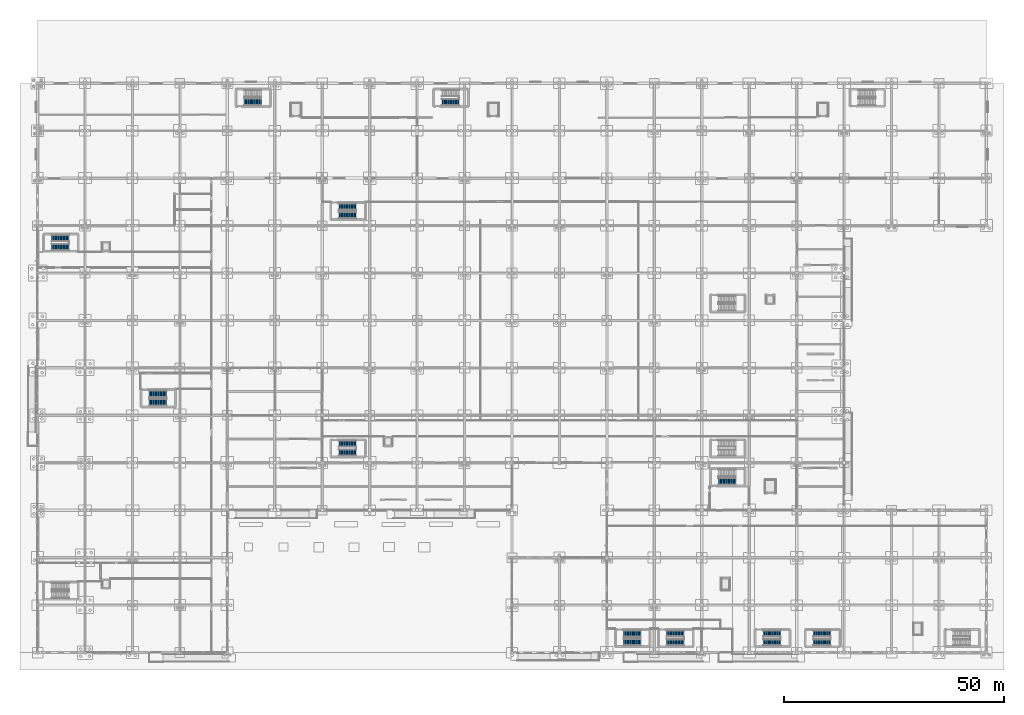
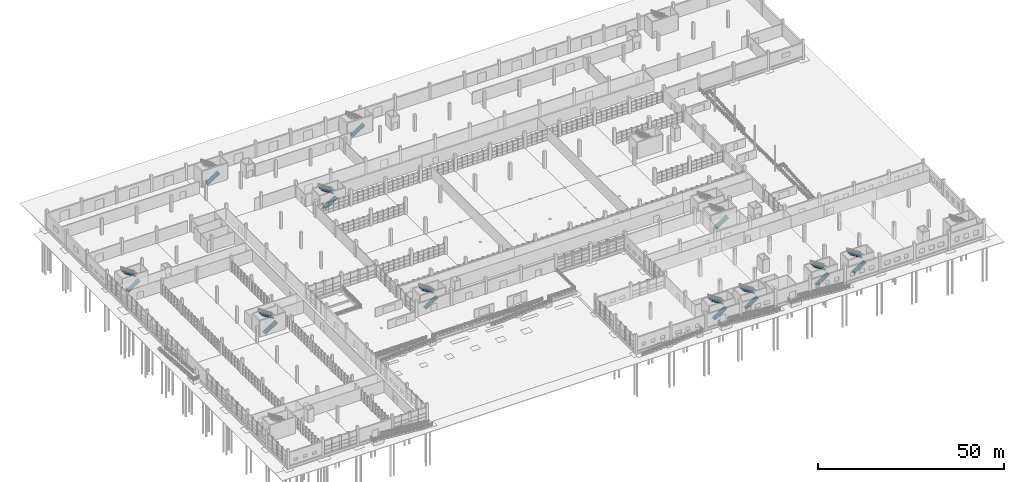
# One storey, part 117 of 138: 19 stair flights, 11 elements without a shape of their own.
"""IFC4 building model written with IfcOpenShell, lengths in metres."""

from ifc_helpers import new_model, si_unit, direction, frame, origin, place, context, subcontext, project, spatial, polyline, outline, extrude, material, type_object, element, aggregate, save


model = new_model("IFC4")

# Units and contexts
model_context = context("Model", 3, precision=1e-05, world=origin(), true_north=direction((0.0, 1.0)))
body_context = subcontext(model_context, "Body", "Model", "MODEL_VIEW")
ifc_project = project(units=[si_unit("LENGTHUNIT", "METRE"), si_unit("AREAUNIT", "SQUARE_METRE"), si_unit("VOLUMEUNIT", "CUBIC_METRE"), si_unit("PLANEANGLEUNIT", "RADIAN"), si_unit("MASSUNIT", "GRAM", prefix="KILO")], contexts=[model_context])

# Site, building, storey
site_placement = place(None, origin())
site = spatial("IfcSite", under=ifc_project, at=site_placement, CompositionType="ELEMENT")
building_placement = place(site_placement, origin())
building = spatial("IfcBuilding", under=site, at=building_placement, Name="Zwinboog Wholesale Market", CompositionType="ELEMENT")
storey_placement = place(building_placement, origin())
storey = spatial("IfcBuildingStorey", under=building, at=storey_placement, Name="L00", CompositionType="ELEMENT", Elevation=0.0)

# Stair, stair flights
ifc_material = material(Name="Concrete C40/50", Category="concrete")
stair_type_1 = type_object("IfcStairType", Name="STT-DOG-145", PredefinedType="HALF_TURN_STAIR", material=ifc_material)
stair_1_placement = place(storey_placement, origin())
stair_1 = element("IfcStair", 1, at=stair_1_placement, inside=storey, type_object=stair_type_1, Name="Enclosed Escape Stair ST-02", PredefinedType="HALF_TURN_STAIR")
stair_flight_type_1 = type_object("IfcStairFlightType", Name="SFT-145", PredefinedType="STRAIGHT", material=ifc_material)
stair_flight_1_placement = place(storey_placement, frame((3.219970703125, 92.280029296875, 0.0), z_axis=(0.0, 0.0, 1.0), x_axis=(1.0, 0.0, 0.0)))
stair_flight_1 = element("IfcStairFlight", 2, at=stair_flight_1_placement, type_object=stair_flight_type_1, Name="ST-02 flight 1", NumberOfRisers=15, NumberOfTreads=14, PredefinedType="STRAIGHT", RiserHeight=0.18, TreadLength=0.28, context=body_context, shape_type="SweptSolid", body=[
    extrude(outline(polyline([(0.0, 0.0), (0.0, 0.179931640625), (0.280029296875, 0.179931640625), (0.280029296875, 0.360107421875), (0.56005859375, 0.360107421875), (0.56005859375, 0.5400390625), (0.840087890625, 0.5400390625), (0.840087890625, 0.719970703125), (1.1201171875, 0.719970703125), (1.1201171875, 0.89990234375), (1.39990234375, 0.89990234375), (1.39990234375, 1.080078125), (1.679931640625, 1.080078125), (1.679931640625, 1.260009765625), (1.9599609375, 1.260009765625), (1.9599609375, 1.43994140625), (2.239990234375, 1.43994140625), (2.239990234375, 1.6201171875), (2.52001953125, 1.6201171875), (2.52001953125, 1.800048828125), (2.800048828125, 1.800048828125), (2.800048828125, 1.97998046875), (3.080078125, 1.97998046875), (3.080078125, 2.159912109375), (3.360107421875, 2.159912109375), (3.360107421875, 2.340087890625), (3.639892578125, 2.340087890625), (3.639892578125, 2.52001953125), (3.919921875, 2.52001953125), (3.919921875, 2.699951171875), (3.919921875, 2.30615234375), (0.332763671875, 0.0), (0.0, 0.0)])), frame((0.0, 0.719970703125, 0.0), z_axis=(0.0, -1.0, 0.0), x_axis=(1.0, 0.0, 0.0)), (0.0, 0.0, 1.0), 1.43994140625),
])
stair_flight_2_placement = place(storey_placement, frame((7.139892578125, 94.320068359375, 2.699951171875), z_axis=(0.0, 0.0, 1.0), x_axis=(-1.0, 0.0, 0.0)))
stair_flight_2 = element("IfcStairFlight", 3, at=stair_flight_2_placement, type_object=stair_flight_type_1, Name="ST-02 flight 2", NumberOfRisers=15, NumberOfTreads=14, PredefinedType="STRAIGHT", RiserHeight=0.18, TreadLength=0.28, context=body_context, shape_type="SweptSolid", body=[
    extrude(outline(polyline([(0.0, 0.0), (0.0, 0.179931640625), (0.280029296875, 0.179931640625), (0.280029296875, 0.360107421875), (0.56005859375, 0.360107421875), (0.56005859375, 0.5400390625), (0.840087890625, 0.5400390625), (0.840087890625, 0.719970703125), (1.1201171875, 0.719970703125), (1.1201171875, 0.89990234375), (1.39990234375, 0.89990234375), (1.39990234375, 1.080078125), (1.679931640625, 1.080078125), (1.679931640625, 1.260009765625), (1.9599609375, 1.260009765625), (1.9599609375, 1.43994140625), (2.239990234375, 1.43994140625), (2.239990234375, 1.6201171875), (2.52001953125, 1.6201171875), (2.52001953125, 1.800048828125), (2.800048828125, 1.800048828125), (2.800048828125, 1.97998046875), (3.080078125, 1.97998046875), (3.080078125, 2.159912109375), (3.360107421875, 2.159912109375), (3.360107421875, 2.340087890625), (3.639892578125, 2.340087890625), (3.639892578125, 2.52001953125), (3.919921875, 2.52001953125), (3.919921875, 2.699951171875), (3.919921875, 2.30615234375), (0.332763671875, 0.0), (0.0, 0.0)])), frame((0.0, 0.719970703125, 0.0), z_axis=(0.0, -1.0, 0.0), x_axis=(1.0, 0.0, 0.0)), (0.0, 0.0, 1.0), 1.43994140625),
])
aggregate(stair_1, [stair_flight_1, stair_flight_2])

# Stair, stair flight
stair_2_placement = place(storey_placement, origin())
stair_2 = element("IfcStair", 4, at=stair_2_placement, inside=storey, type_object=stair_type_1, Name="Enclosed Escape Stair ST-04", PredefinedType="HALF_TURN_STAIR")
stair_flight_3_placement = place(storey_placement, frame((92.02001953125, 125.280029296875, 0.0), z_axis=(0.0, 0.0, 1.0), x_axis=(1.0, 0.0, 0.0)))
stair_flight_3 = element("IfcStairFlight", 5, at=stair_flight_3_placement, type_object=stair_flight_type_1, Name="ST-04 flight 1", NumberOfRisers=15, NumberOfTreads=14, PredefinedType="STRAIGHT", RiserHeight=0.18, TreadLength=0.28, context=body_context, shape_type="SweptSolid", body=[
    extrude(outline(polyline([(0.0, 0.0), (0.0, 0.179931640625), (0.280029296875, 0.179931640625), (0.280029296875, 0.360107421875), (0.56005859375, 0.360107421875), (0.56005859375, 0.5400390625), (0.840087890625, 0.5400390625), (0.840087890625, 0.719970703125), (1.1201171875, 0.719970703125), (1.1201171875, 0.89990234375), (1.39990234375, 0.89990234375), (1.39990234375, 1.080078125), (1.679931640625, 1.080078125), (1.679931640625, 1.260009765625), (1.9599609375, 1.260009765625), (1.9599609375, 1.43994140625), (2.239990234375, 1.43994140625), (2.239990234375, 1.6201171875), (2.52001953125, 1.6201171875), (2.52001953125, 1.800048828125), (2.800048828125, 1.800048828125), (2.800048828125, 1.97998046875), (3.080078125, 1.97998046875), (3.080078125, 2.159912109375), (3.360107421875, 2.159912109375), (3.360107421875, 2.340087890625), (3.639892578125, 2.340087890625), (3.639892578125, 2.52001953125), (3.919921875, 2.52001953125), (3.919921875, 2.699951171875), (3.919921875, 2.30615234375), (0.332763671875, 0.0), (0.0, 0.0)])), frame((0.0, 0.719970703125, 0.0), z_axis=(0.0, -1.0, 0.0), x_axis=(1.0, 0.0, 0.0)), (0.0, 0.0, 1.0), 1.43994140625),
])
aggregate(stair_2, [stair_flight_3])

# Stair, stair flights
stair_3_placement = place(storey_placement, origin())
stair_3 = element("IfcStair", 6, at=stair_3_placement, inside=storey, type_object=stair_type_1, Name="Enclosed Escape Stair ST-06", PredefinedType="HALF_TURN_STAIR")
stair_flight_4_placement = place(storey_placement, frame((68.6201171875, 45.47998046875, 0.0), z_axis=(0.0, 0.0, 1.0), x_axis=(1.0, 0.0, 0.0)))
stair_flight_4 = element("IfcStairFlight", 7, at=stair_flight_4_placement, type_object=stair_flight_type_1, Name="ST-06 flight 1", NumberOfRisers=15, NumberOfTreads=14, PredefinedType="STRAIGHT", RiserHeight=0.18, TreadLength=0.28, context=body_context, shape_type="SweptSolid", body=[
    extrude(outline(polyline([(0.0, 0.0), (0.0, 0.179931640625), (0.280029296875, 0.179931640625), (0.280029296875, 0.360107421875), (0.56005859375, 0.360107421875), (0.56005859375, 0.5400390625), (0.840087890625, 0.5400390625), (0.840087890625, 0.719970703125), (1.1201171875, 0.719970703125), (1.1201171875, 0.89990234375), (1.39990234375, 0.89990234375), (1.39990234375, 1.080078125), (1.679931640625, 1.080078125), (1.679931640625, 1.260009765625), (1.9599609375, 1.260009765625), (1.9599609375, 1.43994140625), (2.239990234375, 1.43994140625), (2.239990234375, 1.6201171875), (2.52001953125, 1.6201171875), (2.52001953125, 1.800048828125), (2.800048828125, 1.800048828125), (2.800048828125, 1.97998046875), (3.080078125, 1.97998046875), (3.080078125, 2.159912109375), (3.360107421875, 2.159912109375), (3.360107421875, 2.340087890625), (3.639892578125, 2.340087890625), (3.639892578125, 2.52001953125), (3.919921875, 2.52001953125), (3.919921875, 2.699951171875), (3.919921875, 2.30615234375), (0.332763671875, 0.0), (0.0, 0.0)])), frame((0.0, 0.719970703125, 0.0), z_axis=(0.0, -1.0, 0.0), x_axis=(1.0, 0.0, 0.0)), (0.0, 0.0, 1.0), 1.43994140625),
])
stair_flight_5_placement = place(storey_placement, frame((72.5400390625, 47.52001953125, 2.699951171875), z_axis=(0.0, 0.0, 1.0), x_axis=(-1.0, 0.0, 0.0)))
stair_flight_5 = element("IfcStairFlight", 8, at=stair_flight_5_placement, type_object=stair_flight_type_1, Name="ST-06 flight 2", NumberOfRisers=15, NumberOfTreads=14, PredefinedType="STRAIGHT", RiserHeight=0.18, TreadLength=0.28, context=body_context, shape_type="SweptSolid", body=[
    extrude(outline(polyline([(0.0, 0.0), (0.0, 0.179931640625), (0.280029296875, 0.179931640625), (0.280029296875, 0.360107421875), (0.56005859375, 0.360107421875), (0.56005859375, 0.5400390625), (0.840087890625, 0.5400390625), (0.840087890625, 0.719970703125), (1.1201171875, 0.719970703125), (1.1201171875, 0.89990234375), (1.39990234375, 0.89990234375), (1.39990234375, 1.080078125), (1.679931640625, 1.080078125), (1.679931640625, 1.260009765625), (1.9599609375, 1.260009765625), (1.9599609375, 1.43994140625), (2.239990234375, 1.43994140625), (2.239990234375, 1.6201171875), (2.52001953125, 1.6201171875), (2.52001953125, 1.800048828125), (2.800048828125, 1.800048828125), (2.800048828125, 1.97998046875), (3.080078125, 1.97998046875), (3.080078125, 2.159912109375), (3.360107421875, 2.159912109375), (3.360107421875, 2.340087890625), (3.639892578125, 2.340087890625), (3.639892578125, 2.52001953125), (3.919921875, 2.52001953125), (3.919921875, 2.699951171875), (3.919921875, 2.30615234375), (0.332763671875, 0.0), (0.0, 0.0)])), frame((0.0, 0.719970703125, 0.0), z_axis=(0.0, -1.0, 0.0), x_axis=(1.0, 0.0, 0.0)), (0.0, 0.0, 1.0), 1.43994140625),
])
aggregate(stair_3, [stair_flight_4, stair_flight_5])

stair_4_placement = place(storey_placement, origin())
stair_4 = element("IfcStair", 9, at=stair_4_placement, inside=storey, type_object=stair_type_1, Name="Enclosed Escape Stair ST-09A", PredefinedType="HALF_TURN_STAIR")
stair_flight_6_placement = place(storey_placement, frame((176.6201171875, 2.280029296875, 0.0), z_axis=(0.0, 0.0, 1.0), x_axis=(1.0, 0.0, 0.0)))
stair_flight_6 = element("IfcStairFlight", 10, at=stair_flight_6_placement, type_object=stair_flight_type_1, Name="ST-09A flight 1", NumberOfRisers=15, NumberOfTreads=14, PredefinedType="STRAIGHT", RiserHeight=0.18, TreadLength=0.28, context=body_context, shape_type="SweptSolid", body=[
    extrude(outline(polyline([(0.0, 0.0), (0.0, 0.179931640625), (0.280029296875, 0.179931640625), (0.280029296875, 0.360107421875), (0.56005859375, 0.360107421875), (0.56005859375, 0.5400390625), (0.840087890625, 0.5400390625), (0.840087890625, 0.719970703125), (1.1201171875, 0.719970703125), (1.1201171875, 0.89990234375), (1.39990234375, 0.89990234375), (1.39990234375, 1.080078125), (1.679931640625, 1.080078125), (1.679931640625, 1.260009765625), (1.9599609375, 1.260009765625), (1.9599609375, 1.43994140625), (2.239990234375, 1.43994140625), (2.239990234375, 1.6201171875), (2.52001953125, 1.6201171875), (2.52001953125, 1.800048828125), (2.800048828125, 1.800048828125), (2.800048828125, 1.97998046875), (3.080078125, 1.97998046875), (3.080078125, 2.159912109375), (3.360107421875, 2.159912109375), (3.360107421875, 2.340087890625), (3.639892578125, 2.340087890625), (3.639892578125, 2.52001953125), (3.919921875, 2.52001953125), (3.919921875, 2.699951171875), (3.919921875, 2.30615234375), (0.332763671875, 0.0), (0.0, 0.0)])), frame((0.0, 0.719970703125, 0.0), z_axis=(0.0, -1.0, 0.0), x_axis=(1.0, 0.0, 0.0)), (0.0, 0.0, 1.0), 1.43994140625),
])
stair_flight_7_placement = place(storey_placement, frame((180.5400390625, 4.320068359375, 2.699951171875), z_axis=(0.0, 0.0, 1.0), x_axis=(-1.0, 0.0, 0.0)))
stair_flight_7 = element("IfcStairFlight", 11, at=stair_flight_7_placement, type_object=stair_flight_type_1, Name="ST-09A flight 2", NumberOfRisers=15, NumberOfTreads=14, PredefinedType="STRAIGHT", RiserHeight=0.18, TreadLength=0.28, context=body_context, shape_type="SweptSolid", body=[
    extrude(outline(polyline([(0.0, 0.0), (0.0, 0.179931640625), (0.280029296875, 0.179931640625), (0.280029296875, 0.360107421875), (0.56005859375, 0.360107421875), (0.56005859375, 0.5400390625), (0.840087890625, 0.5400390625), (0.840087890625, 0.719970703125), (1.1201171875, 0.719970703125), (1.1201171875, 0.89990234375), (1.39990234375, 0.89990234375), (1.39990234375, 1.080078125), (1.679931640625, 1.080078125), (1.679931640625, 1.260009765625), (1.9599609375, 1.260009765625), (1.9599609375, 1.43994140625), (2.239990234375, 1.43994140625), (2.239990234375, 1.6201171875), (2.52001953125, 1.6201171875), (2.52001953125, 1.800048828125), (2.800048828125, 1.800048828125), (2.800048828125, 1.97998046875), (3.080078125, 1.97998046875), (3.080078125, 2.159912109375), (3.360107421875, 2.159912109375), (3.360107421875, 2.340087890625), (3.639892578125, 2.340087890625), (3.639892578125, 2.52001953125), (3.919921875, 2.52001953125), (3.919921875, 2.699951171875), (3.919921875, 2.30615234375), (0.332763671875, 0.0), (0.0, 0.0)])), frame((0.0, 0.719970703125, 0.0), z_axis=(0.0, -1.0, 0.0), x_axis=(1.0, 0.0, 0.0)), (0.0, 0.0, 1.0), 1.43994140625),
])
aggregate(stair_4, [stair_flight_6, stair_flight_7])

stair_5_placement = place(storey_placement, origin())
stair_5 = element("IfcStair", 12, at=stair_5_placement, inside=storey, type_object=stair_type_1, Name="Enclosed Escape Stair ST-11A", PredefinedType="HALF_TURN_STAIR")
stair_flight_8_placement = place(storey_placement, frame((165.219970703125, 2.280029296875, 0.0), z_axis=(0.0, 0.0, 1.0), x_axis=(1.0, 0.0, 0.0)))
stair_flight_8 = element("IfcStairFlight", 13, at=stair_flight_8_placement, type_object=stair_flight_type_1, Name="ST-11A flight 1", NumberOfRisers=15, NumberOfTreads=14, PredefinedType="STRAIGHT", RiserHeight=0.18, TreadLength=0.28, context=body_context, shape_type="SweptSolid", body=[
    extrude(outline(polyline([(0.0, 0.0), (0.0, 0.179931640625), (0.280029296875, 0.179931640625), (0.280029296875, 0.360107421875), (0.56005859375, 0.360107421875), (0.56005859375, 0.5400390625), (0.840087890625, 0.5400390625), (0.840087890625, 0.719970703125), (1.1201171875, 0.719970703125), (1.1201171875, 0.89990234375), (1.39990234375, 0.89990234375), (1.39990234375, 1.080078125), (1.679931640625, 1.080078125), (1.679931640625, 1.260009765625), (1.9599609375, 1.260009765625), (1.9599609375, 1.43994140625), (2.239990234375, 1.43994140625), (2.239990234375, 1.6201171875), (2.52001953125, 1.6201171875), (2.52001953125, 1.800048828125), (2.800048828125, 1.800048828125), (2.800048828125, 1.97998046875), (3.080078125, 1.97998046875), (3.080078125, 2.159912109375), (3.360107421875, 2.159912109375), (3.360107421875, 2.340087890625), (3.639892578125, 2.340087890625), (3.639892578125, 2.52001953125), (3.919921875, 2.52001953125), (3.919921875, 2.699951171875), (3.919921875, 2.30615234375), (0.332763671875, 0.0), (0.0, 0.0)])), frame((0.0, 0.719970703125, 0.0), z_axis=(0.0, -1.0, 0.0), x_axis=(1.0, 0.0, 0.0)), (0.0, 0.0, 1.0), 1.43994140625),
])
stair_flight_9_placement = place(storey_placement, frame((169.139892578125, 4.320068359375, 2.699951171875), z_axis=(0.0, 0.0, 1.0), x_axis=(-1.0, 0.0, 0.0)))
stair_flight_9 = element("IfcStairFlight", 14, at=stair_flight_9_placement, type_object=stair_flight_type_1, Name="ST-11A flight 2", NumberOfRisers=15, NumberOfTreads=14, PredefinedType="STRAIGHT", RiserHeight=0.18, TreadLength=0.28, context=body_context, shape_type="SweptSolid", body=[
    extrude(outline(polyline([(0.0, 0.0), (0.0, 0.179931640625), (0.280029296875, 0.179931640625), (0.280029296875, 0.360107421875), (0.56005859375, 0.360107421875), (0.56005859375, 0.5400390625), (0.840087890625, 0.5400390625), (0.840087890625, 0.719970703125), (1.1201171875, 0.719970703125), (1.1201171875, 0.89990234375), (1.39990234375, 0.89990234375), (1.39990234375, 1.080078125), (1.679931640625, 1.080078125), (1.679931640625, 1.260009765625), (1.9599609375, 1.260009765625), (1.9599609375, 1.43994140625), (2.239990234375, 1.43994140625), (2.239990234375, 1.6201171875), (2.52001953125, 1.6201171875), (2.52001953125, 1.800048828125), (2.800048828125, 1.800048828125), (2.800048828125, 1.97998046875), (3.080078125, 1.97998046875), (3.080078125, 2.159912109375), (3.360107421875, 2.159912109375), (3.360107421875, 2.340087890625), (3.639892578125, 2.340087890625), (3.639892578125, 2.52001953125), (3.919921875, 2.52001953125), (3.919921875, 2.699951171875), (3.919921875, 2.30615234375), (0.332763671875, 0.0), (0.0, 0.0)])), frame((0.0, 0.719970703125, 0.0), z_axis=(0.0, -1.0, 0.0), x_axis=(1.0, 0.0, 0.0)), (0.0, 0.0, 1.0), 1.43994140625),
])
aggregate(stair_5, [stair_flight_8, stair_flight_9])

stair_6_placement = place(storey_placement, origin())
stair_6 = element("IfcStair", 15, at=stair_6_placement, inside=storey, type_object=stair_type_1, Name="Enclosed Escape Stair ST-13A", PredefinedType="HALF_TURN_STAIR")
stair_flight_10_placement = place(storey_placement, frame((143.219970703125, 2.280029296875, 0.0), z_axis=(0.0, 0.0, 1.0), x_axis=(1.0, 0.0, 0.0)))
stair_flight_10 = element("IfcStairFlight", 16, at=stair_flight_10_placement, type_object=stair_flight_type_1, Name="ST-13A flight 1", NumberOfRisers=15, NumberOfTreads=14, PredefinedType="STRAIGHT", RiserHeight=0.18, TreadLength=0.28, context=body_context, shape_type="SweptSolid", body=[
    extrude(outline(polyline([(0.0, 0.0), (0.0, 0.179931640625), (0.280029296875, 0.179931640625), (0.280029296875, 0.360107421875), (0.56005859375, 0.360107421875), (0.56005859375, 0.5400390625), (0.840087890625, 0.5400390625), (0.840087890625, 0.719970703125), (1.1201171875, 0.719970703125), (1.1201171875, 0.89990234375), (1.39990234375, 0.89990234375), (1.39990234375, 1.080078125), (1.679931640625, 1.080078125), (1.679931640625, 1.260009765625), (1.9599609375, 1.260009765625), (1.9599609375, 1.43994140625), (2.239990234375, 1.43994140625), (2.239990234375, 1.6201171875), (2.52001953125, 1.6201171875), (2.52001953125, 1.800048828125), (2.800048828125, 1.800048828125), (2.800048828125, 1.97998046875), (3.080078125, 1.97998046875), (3.080078125, 2.159912109375), (3.360107421875, 2.159912109375), (3.360107421875, 2.340087890625), (3.639892578125, 2.340087890625), (3.639892578125, 2.52001953125), (3.919921875, 2.52001953125), (3.919921875, 2.699951171875), (3.919921875, 2.30615234375), (0.332763671875, 0.0), (0.0, 0.0)])), frame((0.0, 0.719970703125, 0.0), z_axis=(0.0, -1.0, 0.0), x_axis=(1.0, 0.0, 0.0)), (0.0, 0.0, 1.0), 1.43994140625),
])
stair_flight_11_placement = place(storey_placement, frame((147.139892578125, 4.320068359375, 2.699951171875), z_axis=(0.0, 0.0, 1.0), x_axis=(-1.0, 0.0, 0.0)))
stair_flight_11 = element("IfcStairFlight", 17, at=stair_flight_11_placement, type_object=stair_flight_type_1, Name="ST-13A flight 2", NumberOfRisers=15, NumberOfTreads=14, PredefinedType="STRAIGHT", RiserHeight=0.18, TreadLength=0.28, context=body_context, shape_type="SweptSolid", body=[
    extrude(outline(polyline([(0.0, 0.0), (0.0, 0.179931640625), (0.280029296875, 0.179931640625), (0.280029296875, 0.360107421875), (0.56005859375, 0.360107421875), (0.56005859375, 0.5400390625), (0.840087890625, 0.5400390625), (0.840087890625, 0.719970703125), (1.1201171875, 0.719970703125), (1.1201171875, 0.89990234375), (1.39990234375, 0.89990234375), (1.39990234375, 1.080078125), (1.679931640625, 1.080078125), (1.679931640625, 1.260009765625), (1.9599609375, 1.260009765625), (1.9599609375, 1.43994140625), (2.239990234375, 1.43994140625), (2.239990234375, 1.6201171875), (2.52001953125, 1.6201171875), (2.52001953125, 1.800048828125), (2.800048828125, 1.800048828125), (2.800048828125, 1.97998046875), (3.080078125, 1.97998046875), (3.080078125, 2.159912109375), (3.360107421875, 2.159912109375), (3.360107421875, 2.340087890625), (3.639892578125, 2.340087890625), (3.639892578125, 2.52001953125), (3.919921875, 2.52001953125), (3.919921875, 2.699951171875), (3.919921875, 2.30615234375), (0.332763671875, 0.0), (0.0, 0.0)])), frame((0.0, 0.719970703125, 0.0), z_axis=(0.0, -1.0, 0.0), x_axis=(1.0, 0.0, 0.0)), (0.0, 0.0, 1.0), 1.43994140625),
])
aggregate(stair_6, [stair_flight_10, stair_flight_11])

# Stair, stair flight
stair_type_2 = type_object("IfcStairType", Name="STT-DOG-160", PredefinedType="HALF_TURN_STAIR", material=ifc_material)
stair_7_placement = place(storey_placement, origin())
stair_7 = element("IfcStair", 18, at=stair_7_placement, inside=storey, type_object=stair_type_2, Name="Enclosed Escape Stair ST-03", PredefinedType="HALF_TURN_STAIR")
stair_flight_type_2 = type_object("IfcStairFlightType", Name="SFT-160", PredefinedType="STRAIGHT", material=ifc_material)
stair_flight_12_placement = place(storey_placement, frame((47.02001953125, 125.330078125, 0.0), z_axis=(0.0, 0.0, 1.0), x_axis=(1.0, 0.0, 0.0)))
stair_flight_12 = element("IfcStairFlight", 19, at=stair_flight_12_placement, type_object=stair_flight_type_2, Name="ST-03 flight 1", NumberOfRisers=15, NumberOfTreads=14, PredefinedType="STRAIGHT", RiserHeight=0.18, TreadLength=0.28, context=body_context, shape_type="SweptSolid", body=[
    extrude(outline(polyline([(0.0, 0.0), (0.0, 0.179931640625), (0.280029296875, 0.179931640625), (0.280029296875, 0.360107421875), (0.56005859375, 0.360107421875), (0.56005859375, 0.5400390625), (0.840087890625, 0.5400390625), (0.840087890625, 0.719970703125), (1.1201171875, 0.719970703125), (1.1201171875, 0.89990234375), (1.39990234375, 0.89990234375), (1.39990234375, 1.080078125), (1.679931640625, 1.080078125), (1.679931640625, 1.260009765625), (1.9599609375, 1.260009765625), (1.9599609375, 1.43994140625), (2.239990234375, 1.43994140625), (2.239990234375, 1.6201171875), (2.52001953125, 1.6201171875), (2.52001953125, 1.800048828125), (2.800048828125, 1.800048828125), (2.800048828125, 1.97998046875), (3.080078125, 1.97998046875), (3.080078125, 2.159912109375), (3.360107421875, 2.159912109375), (3.360107421875, 2.340087890625), (3.639892578125, 2.340087890625), (3.639892578125, 2.52001953125), (3.919921875, 2.52001953125), (3.919921875, 2.699951171875), (3.919921875, 2.30615234375), (0.332763671875, 0.0), (0.0, 0.0)])), frame((0.0, 0.77001953125, 0.0), z_axis=(0.0, -1.0, 0.0), x_axis=(1.0, 0.0, 0.0)), (0.0, 0.0, 1.0), 1.5400390625),
])
aggregate(stair_7, [stair_flight_12])

# Stair, stair flights
stair_8_placement = place(storey_placement, origin())
stair_8 = element("IfcStair", 20, at=stair_8_placement, inside=storey, type_object=stair_type_2, Name="Enclosed Escape Stair ST-10A", PredefinedType="HALF_TURN_STAIR")
stair_flight_13_placement = place(storey_placement, frame((133.419921875, 2.330078125, 0.0), z_axis=(0.0, 0.0, 1.0), x_axis=(1.0, 0.0, 0.0)))
stair_flight_13 = element("IfcStairFlight", 21, at=stair_flight_13_placement, type_object=stair_flight_type_2, Name="ST-10A flight 1", NumberOfRisers=15, NumberOfTreads=14, PredefinedType="STRAIGHT", RiserHeight=0.18, TreadLength=0.28, context=body_context, shape_type="SweptSolid", body=[
    extrude(outline(polyline([(0.0, 0.0), (0.0, 0.179931640625), (0.280029296875, 0.179931640625), (0.280029296875, 0.360107421875), (0.56005859375, 0.360107421875), (0.56005859375, 0.5400390625), (0.840087890625, 0.5400390625), (0.840087890625, 0.719970703125), (1.1201171875, 0.719970703125), (1.1201171875, 0.89990234375), (1.39990234375, 0.89990234375), (1.39990234375, 1.080078125), (1.679931640625, 1.080078125), (1.679931640625, 1.260009765625), (1.9599609375, 1.260009765625), (1.9599609375, 1.43994140625), (2.239990234375, 1.43994140625), (2.239990234375, 1.6201171875), (2.52001953125, 1.6201171875), (2.52001953125, 1.800048828125), (2.800048828125, 1.800048828125), (2.800048828125, 1.97998046875), (3.080078125, 1.97998046875), (3.080078125, 2.159912109375), (3.360107421875, 2.159912109375), (3.360107421875, 2.340087890625), (3.639892578125, 2.340087890625), (3.639892578125, 2.52001953125), (3.919921875, 2.52001953125), (3.919921875, 2.699951171875), (3.919921875, 2.30615234375), (0.332763671875, 0.0), (0.0, 0.0)])), frame((0.0, 0.77001953125, 0.0), z_axis=(0.0, -1.0, 0.0), x_axis=(1.0, 0.0, 0.0)), (0.0, 0.0, 1.0), 1.5400390625),
])
stair_flight_14_placement = place(storey_placement, frame((137.340087890625, 4.27001953125, 2.699951171875), z_axis=(0.0, 0.0, 1.0), x_axis=(-1.0, 0.0, 0.0)))
stair_flight_14 = element("IfcStairFlight", 22, at=stair_flight_14_placement, type_object=stair_flight_type_2, Name="ST-10A flight 2", NumberOfRisers=15, NumberOfTreads=14, PredefinedType="STRAIGHT", RiserHeight=0.18, TreadLength=0.28, context=body_context, shape_type="SweptSolid", body=[
    extrude(outline(polyline([(0.0, 0.0), (0.0, 0.179931640625), (0.280029296875, 0.179931640625), (0.280029296875, 0.360107421875), (0.56005859375, 0.360107421875), (0.56005859375, 0.5400390625), (0.840087890625, 0.5400390625), (0.840087890625, 0.719970703125), (1.1201171875, 0.719970703125), (1.1201171875, 0.89990234375), (1.39990234375, 0.89990234375), (1.39990234375, 1.080078125), (1.679931640625, 1.080078125), (1.679931640625, 1.260009765625), (1.9599609375, 1.260009765625), (1.9599609375, 1.43994140625), (2.239990234375, 1.43994140625), (2.239990234375, 1.6201171875), (2.52001953125, 1.6201171875), (2.52001953125, 1.800048828125), (2.800048828125, 1.800048828125), (2.800048828125, 1.97998046875), (3.080078125, 1.97998046875), (3.080078125, 2.159912109375), (3.360107421875, 2.159912109375), (3.360107421875, 2.340087890625), (3.639892578125, 2.340087890625), (3.639892578125, 2.52001953125), (3.919921875, 2.52001953125), (3.919921875, 2.699951171875), (3.919921875, 2.30615234375), (0.332763671875, 0.0), (0.0, 0.0)])), frame((0.0, 0.77001953125, 0.0), z_axis=(0.0, -1.0, 0.0), x_axis=(1.0, 0.0, 0.0)), (0.0, 0.0, 1.0), 1.5400390625),
])
aggregate(stair_8, [stair_flight_13, stair_flight_14])

# Stair, stair flight
stair_9_placement = place(storey_placement, origin())
stair_9 = element("IfcStair", 23, at=stair_9_placement, inside=storey, type_object=stair_type_2, Name="Enclosed Escape Stair ST-12A", PredefinedType="HALF_TURN_STAIR")
stair_flight_15_placement = place(storey_placement, frame((155.02001953125, 38.929931640625, 0.0), z_axis=(0.0, 0.0, 1.0), x_axis=(1.0, 0.0, 0.0)))
stair_flight_15 = element("IfcStairFlight", 24, at=stair_flight_15_placement, type_object=stair_flight_type_2, Name="ST-12A flight 1", NumberOfRisers=15, NumberOfTreads=14, PredefinedType="STRAIGHT", RiserHeight=0.18, TreadLength=0.28, context=body_context, shape_type="SweptSolid", body=[
    extrude(outline(polyline([(0.0, 0.0), (0.0, 0.179931640625), (0.280029296875, 0.179931640625), (0.280029296875, 0.360107421875), (0.56005859375, 0.360107421875), (0.56005859375, 0.5400390625), (0.840087890625, 0.5400390625), (0.840087890625, 0.719970703125), (1.1201171875, 0.719970703125), (1.1201171875, 0.89990234375), (1.39990234375, 0.89990234375), (1.39990234375, 1.080078125), (1.679931640625, 1.080078125), (1.679931640625, 1.260009765625), (1.9599609375, 1.260009765625), (1.9599609375, 1.43994140625), (2.239990234375, 1.43994140625), (2.239990234375, 1.6201171875), (2.52001953125, 1.6201171875), (2.52001953125, 1.800048828125), (2.800048828125, 1.800048828125), (2.800048828125, 1.97998046875), (3.080078125, 1.97998046875), (3.080078125, 2.159912109375), (3.360107421875, 2.159912109375), (3.360107421875, 2.340087890625), (3.639892578125, 2.340087890625), (3.639892578125, 2.52001953125), (3.919921875, 2.52001953125), (3.919921875, 2.699951171875), (3.919921875, 2.30615234375), (0.332763671875, 0.0), (0.0, 0.0)])), frame((0.0, 0.77001953125, 0.0), z_axis=(0.0, -1.0, 0.0), x_axis=(1.0, 0.0, 0.0)), (0.0, 0.0, 1.0), 1.5400390625),
])
aggregate(stair_9, [stair_flight_15])

# Stair, stair flights
stair_10_placement = place(storey_placement, origin())
stair_10 = element("IfcStair", 25, at=stair_10_placement, inside=storey, type_object=stair_type_2, Name="Enclosed Escape Stair ST-14", PredefinedType="HALF_TURN_STAIR")
stair_flight_16_placement = place(storey_placement, frame((68.6201171875, 99.530029296875, 0.0), z_axis=(0.0, 0.0, 1.0), x_axis=(1.0, 0.0, 0.0)))
stair_flight_16 = element("IfcStairFlight", 26, at=stair_flight_16_placement, type_object=stair_flight_type_2, Name="ST-14 flight 1", NumberOfRisers=15, NumberOfTreads=14, PredefinedType="STRAIGHT", RiserHeight=0.18, TreadLength=0.28, context=body_context, shape_type="SweptSolid", body=[
    extrude(outline(polyline([(0.0, 0.0), (0.0, 0.179931640625), (0.280029296875, 0.179931640625), (0.280029296875, 0.360107421875), (0.56005859375, 0.360107421875), (0.56005859375, 0.5400390625), (0.840087890625, 0.5400390625), (0.840087890625, 0.719970703125), (1.1201171875, 0.719970703125), (1.1201171875, 0.89990234375), (1.39990234375, 0.89990234375), (1.39990234375, 1.080078125), (1.679931640625, 1.080078125), (1.679931640625, 1.260009765625), (1.9599609375, 1.260009765625), (1.9599609375, 1.43994140625), (2.239990234375, 1.43994140625), (2.239990234375, 1.6201171875), (2.52001953125, 1.6201171875), (2.52001953125, 1.800048828125), (2.800048828125, 1.800048828125), (2.800048828125, 1.97998046875), (3.080078125, 1.97998046875), (3.080078125, 2.159912109375), (3.360107421875, 2.159912109375), (3.360107421875, 2.340087890625), (3.639892578125, 2.340087890625), (3.639892578125, 2.52001953125), (3.919921875, 2.52001953125), (3.919921875, 2.699951171875), (3.919921875, 2.30615234375), (0.332763671875, 0.0), (0.0, 0.0)])), frame((0.0, 0.77001953125, 0.0), z_axis=(0.0, -1.0, 0.0), x_axis=(1.0, 0.0, 0.0)), (0.0, 0.0, 1.0), 1.5400390625),
])
stair_flight_17_placement = place(storey_placement, frame((72.5400390625, 101.469970703125, 2.699951171875), z_axis=(0.0, 0.0, 1.0), x_axis=(-1.0, 0.0, 0.0)))
stair_flight_17 = element("IfcStairFlight", 27, at=stair_flight_17_placement, type_object=stair_flight_type_2, Name="ST-14 flight 2", NumberOfRisers=15, NumberOfTreads=14, PredefinedType="STRAIGHT", RiserHeight=0.18, TreadLength=0.28, context=body_context, shape_type="SweptSolid", body=[
    extrude(outline(polyline([(0.0, 0.0), (0.0, 0.179931640625), (0.280029296875, 0.179931640625), (0.280029296875, 0.360107421875), (0.56005859375, 0.360107421875), (0.56005859375, 0.5400390625), (0.840087890625, 0.5400390625), (0.840087890625, 0.719970703125), (1.1201171875, 0.719970703125), (1.1201171875, 0.89990234375), (1.39990234375, 0.89990234375), (1.39990234375, 1.080078125), (1.679931640625, 1.080078125), (1.679931640625, 1.260009765625), (1.9599609375, 1.260009765625), (1.9599609375, 1.43994140625), (2.239990234375, 1.43994140625), (2.239990234375, 1.6201171875), (2.52001953125, 1.6201171875), (2.52001953125, 1.800048828125), (2.800048828125, 1.800048828125), (2.800048828125, 1.97998046875), (3.080078125, 1.97998046875), (3.080078125, 2.159912109375), (3.360107421875, 2.159912109375), (3.360107421875, 2.340087890625), (3.639892578125, 2.340087890625), (3.639892578125, 2.52001953125), (3.919921875, 2.52001953125), (3.919921875, 2.699951171875), (3.919921875, 2.30615234375), (0.332763671875, 0.0), (0.0, 0.0)])), frame((0.0, 0.77001953125, 0.0), z_axis=(0.0, -1.0, 0.0), x_axis=(1.0, 0.0, 0.0)), (0.0, 0.0, 1.0), 1.5400390625),
])
aggregate(stair_10, [stair_flight_16, stair_flight_17])

stair_11_placement = place(storey_placement, origin())
stair_11 = element("IfcStair", 28, at=stair_11_placement, inside=storey, type_object=stair_type_2, Name="Enclosed Escape Stair ST-16", PredefinedType="HALF_TURN_STAIR")
stair_flight_18_placement = place(storey_placement, frame((25.419921875, 56.929931640625, 0.0), z_axis=(0.0, 0.0, 1.0), x_axis=(1.0, 0.0, 0.0)))
stair_flight_18 = element("IfcStairFlight", 29, at=stair_flight_18_placement, type_object=stair_flight_type_2, Name="ST-16 flight 1", NumberOfRisers=15, NumberOfTreads=14, PredefinedType="STRAIGHT", RiserHeight=0.18, TreadLength=0.28, context=body_context, shape_type="SweptSolid", body=[
    extrude(outline(polyline([(0.0, 0.0), (0.0, 0.179931640625), (0.280029296875, 0.179931640625), (0.280029296875, 0.360107421875), (0.56005859375, 0.360107421875), (0.56005859375, 0.5400390625), (0.840087890625, 0.5400390625), (0.840087890625, 0.719970703125), (1.1201171875, 0.719970703125), (1.1201171875, 0.89990234375), (1.39990234375, 0.89990234375), (1.39990234375, 1.080078125), (1.679931640625, 1.080078125), (1.679931640625, 1.260009765625), (1.9599609375, 1.260009765625), (1.9599609375, 1.43994140625), (2.239990234375, 1.43994140625), (2.239990234375, 1.6201171875), (2.52001953125, 1.6201171875), (2.52001953125, 1.800048828125), (2.800048828125, 1.800048828125), (2.800048828125, 1.97998046875), (3.080078125, 1.97998046875), (3.080078125, 2.159912109375), (3.360107421875, 2.159912109375), (3.360107421875, 2.340087890625), (3.639892578125, 2.340087890625), (3.639892578125, 2.52001953125), (3.919921875, 2.52001953125), (3.919921875, 2.699951171875), (3.919921875, 2.30615234375), (0.332763671875, 0.0), (0.0, 0.0)])), frame((0.0, 0.77001953125, 0.0), z_axis=(0.0, -1.0, 0.0), x_axis=(1.0, 0.0, 0.0)), (0.0, 0.0, 1.0), 1.5400390625),
])
stair_flight_19_placement = place(storey_placement, frame((29.340087890625, 58.8701171875, 2.699951171875), z_axis=(0.0, 0.0, 1.0), x_axis=(-1.0, 0.0, 0.0)))
stair_flight_19 = element("IfcStairFlight", 30, at=stair_flight_19_placement, type_object=stair_flight_type_2, Name="ST-16 flight 2", NumberOfRisers=15, NumberOfTreads=14, PredefinedType="STRAIGHT", RiserHeight=0.18, TreadLength=0.28, context=body_context, shape_type="SweptSolid", body=[
    extrude(outline(polyline([(0.0, 0.0), (0.0, 0.179931640625), (0.280029296875, 0.179931640625), (0.280029296875, 0.360107421875), (0.56005859375, 0.360107421875), (0.56005859375, 0.5400390625), (0.840087890625, 0.5400390625), (0.840087890625, 0.719970703125), (1.1201171875, 0.719970703125), (1.1201171875, 0.89990234375), (1.39990234375, 0.89990234375), (1.39990234375, 1.080078125), (1.679931640625, 1.080078125), (1.679931640625, 1.260009765625), (1.9599609375, 1.260009765625), (1.9599609375, 1.43994140625), (2.239990234375, 1.43994140625), (2.239990234375, 1.6201171875), (2.52001953125, 1.6201171875), (2.52001953125, 1.800048828125), (2.800048828125, 1.800048828125), (2.800048828125, 1.97998046875), (3.080078125, 1.97998046875), (3.080078125, 2.159912109375), (3.360107421875, 2.159912109375), (3.360107421875, 2.340087890625), (3.639892578125, 2.340087890625), (3.639892578125, 2.52001953125), (3.919921875, 2.52001953125), (3.919921875, 2.699951171875), (3.919921875, 2.30615234375), (0.332763671875, 0.0), (0.0, 0.0)])), frame((0.0, 0.77001953125, 0.0), z_axis=(0.0, -1.0, 0.0), x_axis=(1.0, 0.0, 0.0)), (0.0, 0.0, 1.0), 1.5400390625),
])
aggregate(stair_11, [stair_flight_18, stair_flight_19])

save(model, "model.ifc")
